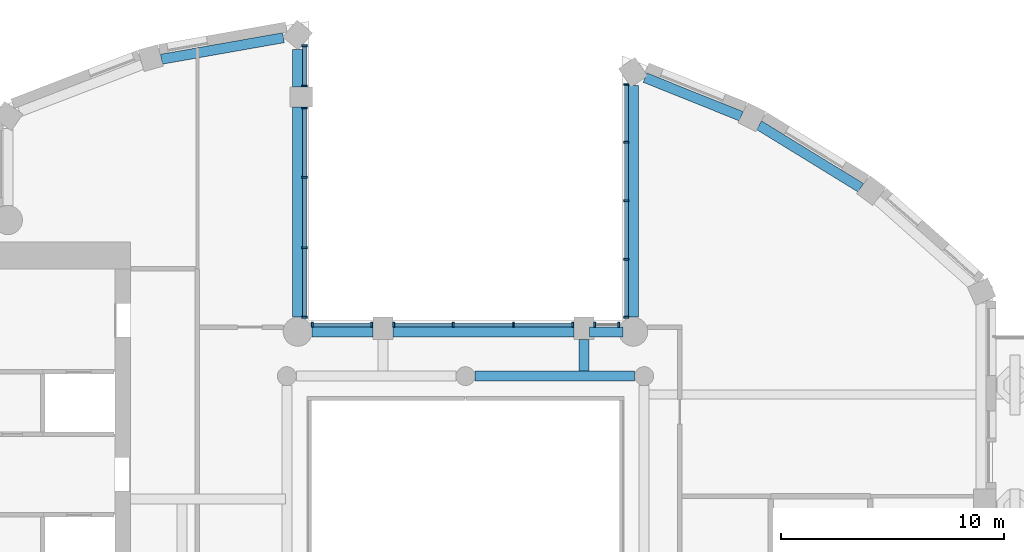
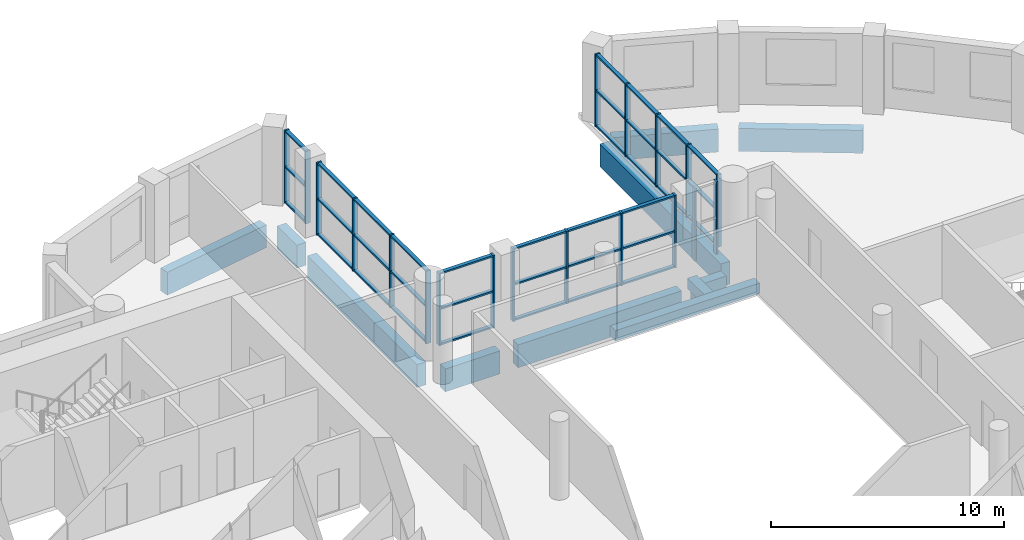
# One storey, part 2 of 14: 55 members, 11 beams, 6 elements without a shape of their own.
"""IFC4 building model written with IfcOpenShell, lengths in metres."""

from ifc_helpers import new_model, si_unit, direction, frame, origin, origin_2d, place, context, subcontext, project, spatial, rectangle, extrude, material, material_profile, profile_set, type_object, element, aggregate, save


model = new_model("IFC4")

# Units and contexts
model_context = context("Model", 3, precision=1e-05, world=origin(), true_north=direction((0.0, 1.0)))
body_context = subcontext(model_context, "Body", "Model", "MODEL_VIEW")
ifc_project = project(units=[si_unit("LENGTHUNIT", "METRE"), si_unit("AREAUNIT", "SQUARE_METRE"), si_unit("VOLUMEUNIT", "CUBIC_METRE"), si_unit("PLANEANGLEUNIT", "RADIAN"), si_unit("MASSUNIT", "GRAM", prefix="KILO")], contexts=[model_context])

# Site, building, storey
site_placement = place(None, origin())
site = spatial("IfcSite", under=ifc_project, at=site_placement, CompositionType="ELEMENT")
building_placement = place(site_placement, origin())
building = spatial("IfcBuilding", under=site, at=building_placement, Name="Cypress Arch Tower", CompositionType="ELEMENT")
storey_placement = place(building_placement, frame((0.0, 0.0, 247.5)))
storey = spatial("IfcBuildingStorey", under=building, at=storey_placement, Name="L55", CompositionType="ELEMENT", Elevation=247.5)

# Beams
ifc_material_1 = material(Name="Concrete C50/60", Category="concrete")
ifc_material_profile_1 = material_profile(ifc_material_1, rectangle(XDim=0.449951171875, YDim=0.550048828125, at=origin_2d()), Name="RC 450x550")
ifc_profile_set_1 = profile_set([ifc_material_profile_1], Name="Concrete C50/60")
beam_type_1 = type_object("IfcBeamType", Name="Floor beam RC 450x550 Concrete C50/60", PredefinedType="BEAM", material=ifc_profile_set_1)
beam_1_placement = place(storey_placement, frame((1.425048828125, 10.0, -0.574951171875), z_axis=(1.0, 0.0, 0.0), x_axis=(0.0, 1.0, 0.0)))
element("IfcBeam", 1, at=beam_1_placement, inside=storey, type_object=beam_type_1, Name="Floor beam L55 RB008", PredefinedType="BEAM", context=body_context, shape_type="SweptSolid", body=[
    extrude(rectangle(XDim=0.449951171875, YDim=0.550048828125, at=origin_2d()), origin(), (0.0, 0.0, 1.0), 7.14990234375),
])
beam_2_placement = place(storey_placement, frame((6.300048828125, 10.22509765625, -0.574951171875), z_axis=(0.0, 1.0, 0.0), x_axis=(-1.0, 0.0, 0.0)))
element("IfcBeam", 2, at=beam_2_placement, inside=storey, type_object=beam_type_1, Name="Floor beam L55 FB013", PredefinedType="BEAM", context=body_context, shape_type="SweptSolid", body=[
    extrude(rectangle(XDim=0.449951171875, YDim=0.550048828125, at=origin_2d()), origin(), (0.0, 0.0, 1.0), 1.4248046875),
])

# Curtain wall, members
ifc_material_2 = material(Name="Anodised aluminium, bronze finish, clear laminated double glazing", Category="aluminium")
curtain_wall_type = type_object("IfcCurtainWallType", Name="Curtain wall CW7 slot glazing", PredefinedType="NOTDEFINED", material=ifc_material_2)
curtain_wall_1_placement = place(storey_placement, origin())
curtain_wall_1 = element("IfcCurtainWall", 3, at=curtain_wall_1_placement, inside=storey, type_object=curtain_wall_type, Name="Curtain wall L55 slot C00.0", PredefinedType="NOTDEFINED")
ifc_material_3 = material(Name="Anodised aluminium, bronze finish", Category="aluminium")
ifc_material_profile_2 = material_profile(ifc_material_3, rectangle(XDim=0.239990234375, YDim=0.0849609375, at=origin_2d()), Name="Mullion 85x240")
ifc_profile_set_2 = profile_set([ifc_material_profile_2], Name="Anodised aluminium, bronze finish")
member_type_1 = type_object("IfcMemberType", Name="Mullion CW7 85x240", PredefinedType="MULLION", material=ifc_profile_set_2)
member_1_placement = place(storey_placement, frame((8.199951171875, 23.060302734375, 0.0), z_axis=(0.0, 0.0, 1.0), x_axis=(1.0, 0.0, 0.0)))
member_1 = element("IfcMember", 4, at=member_1_placement, type_object=member_type_1, Name="CW7 mullion 1", PredefinedType="MULLION", context=body_context, shape_type="SweptSolid", body=[
    extrude(rectangle(XDim=0.239990234375, YDim=0.0849609375, at=origin_2d()), origin(), (0.0, 0.0, 1.0), 3.800048828125),
])
member_2_placement = place(storey_placement, frame((8.199951171875, 20.477294921875, 0.0), z_axis=(0.0, 0.0, 1.0), x_axis=(1.0, 0.0, 0.0)))
member_2 = element("IfcMember", 5, at=member_2_placement, type_object=member_type_1, Name="CW7 mullion 2", PredefinedType="MULLION", context=body_context, shape_type="SweptSolid", body=[
    extrude(rectangle(XDim=0.239990234375, YDim=0.0849609375, at=origin_2d()), origin(), (0.0, 0.0, 1.0), 3.800048828125),
])
member_3_placement = place(storey_placement, frame((8.199951171875, 17.85205078125, 0.0), z_axis=(0.0, 0.0, 1.0), x_axis=(1.0, 0.0, 0.0)))
member_3 = element("IfcMember", 6, at=member_3_placement, type_object=member_type_1, Name="CW7 mullion 3", PredefinedType="MULLION", context=body_context, shape_type="SweptSolid", body=[
    extrude(rectangle(XDim=0.239990234375, YDim=0.0849609375, at=origin_2d()), origin(), (0.0, 0.0, 1.0), 3.800048828125),
])
member_4_placement = place(storey_placement, frame((8.199951171875, 15.226806640625, 0.0), z_axis=(0.0, 0.0, 1.0), x_axis=(1.0, 0.0, 0.0)))
member_4 = element("IfcMember", 7, at=member_4_placement, type_object=member_type_1, Name="CW7 mullion 4", PredefinedType="MULLION", context=body_context, shape_type="SweptSolid", body=[
    extrude(rectangle(XDim=0.239990234375, YDim=0.0849609375, at=origin_2d()), origin(), (0.0, 0.0, 1.0), 3.800048828125),
])
member_5_placement = place(storey_placement, frame((8.199951171875, 12.64404296875, 0.0), z_axis=(0.0, 0.0, 1.0), x_axis=(1.0, 0.0, 0.0)))
member_5 = element("IfcMember", 8, at=member_5_placement, type_object=member_type_1, Name="CW7 mullion 5", PredefinedType="MULLION", context=body_context, shape_type="SweptSolid", body=[
    extrude(rectangle(XDim=0.239990234375, YDim=0.0849609375, at=origin_2d()), origin(), (0.0, 0.0, 1.0), 3.800048828125),
])

curtain_wall_2_placement = place(storey_placement, origin())
curtain_wall_2 = element("IfcCurtainWall", 9, at=curtain_wall_2_placement, inside=storey, type_object=curtain_wall_type, Name="Curtain wall L55 slot C01.0", PredefinedType="NOTDEFINED")
member_6_placement = place(storey_placement, frame((7.85595703125, 12.300048828125, 0.0), z_axis=(0.0, 0.0, 1.0), x_axis=(0.0, -1.0, 0.0)))
member_6 = element("IfcMember", 10, at=member_6_placement, type_object=member_type_1, Name="CW7 mullion 1", PredefinedType="MULLION", context=body_context, shape_type="SweptSolid", body=[
    extrude(rectangle(XDim=0.239990234375, YDim=0.0849609375, at=origin_2d()), origin(), (0.0, 0.0, 1.0), 3.800048828125),
])
member_7_placement = place(storey_placement, frame((6.79248046875, 12.300048828125, 0.0), z_axis=(0.0, 0.0, 1.0), x_axis=(0.0, -1.0, 0.0)))
member_7 = element("IfcMember", 11, at=member_7_placement, type_object=member_type_1, Name="CW7 mullion 2", PredefinedType="MULLION", context=body_context, shape_type="SweptSolid", body=[
    extrude(rectangle(XDim=0.239990234375, YDim=0.0849609375, at=origin_2d()), origin(), (0.0, 0.0, 1.0), 3.800048828125),
])
aggregate(curtain_wall_2, [member_6, member_7])

curtain_wall_3_placement = place(storey_placement, origin())
curtain_wall_3 = element("IfcCurtainWall", 12, at=curtain_wall_3_placement, inside=storey, type_object=curtain_wall_type, Name="Curtain wall L55 slot C01.1", PredefinedType="NOTDEFINED")
member_8_placement = place(storey_placement, frame((5.8076171875, 12.300048828125, 0.0), z_axis=(0.0, 0.0, 1.0), x_axis=(0.0, -1.0, 0.0)))
member_8 = element("IfcMember", 13, at=member_8_placement, type_object=member_type_1, Name="CW7 mullion 1", PredefinedType="MULLION", context=body_context, shape_type="SweptSolid", body=[
    extrude(rectangle(XDim=0.239990234375, YDim=0.0849609375, at=origin_2d()), origin(), (0.0, 0.0, 1.0), 3.800048828125),
])
member_9_placement = place(storey_placement, frame((3.14990234375, 12.300048828125, 0.0), z_axis=(0.0, 0.0, 1.0), x_axis=(0.0, -1.0, 0.0)))
member_9 = element("IfcMember", 14, at=member_9_placement, type_object=member_type_1, Name="CW7 mullion 2", PredefinedType="MULLION", context=body_context, shape_type="SweptSolid", body=[
    extrude(rectangle(XDim=0.239990234375, YDim=0.0849609375, at=origin_2d()), origin(), (0.0, 0.0, 1.0), 3.800048828125),
])
member_10_placement = place(storey_placement, frame((0.449951171875, 12.300048828125, 0.0), z_axis=(0.0, 0.0, 1.0), x_axis=(0.0, -1.0, 0.0)))
member_10 = element("IfcMember", 15, at=member_10_placement, type_object=member_type_1, Name="CW7 mullion 3", PredefinedType="MULLION", context=body_context, shape_type="SweptSolid", body=[
    extrude(rectangle(XDim=0.239990234375, YDim=0.0849609375, at=origin_2d()), origin(), (0.0, 0.0, 1.0), 3.800048828125),
])
member_11_placement = place(storey_placement, frame((-2.20751953125, 12.300048828125, 0.0), z_axis=(0.0, 0.0, 1.0), x_axis=(0.0, -1.0, 0.0)))
member_11 = element("IfcMember", 16, at=member_11_placement, type_object=member_type_1, Name="CW7 mullion 4", PredefinedType="MULLION", context=body_context, shape_type="SweptSolid", body=[
    extrude(rectangle(XDim=0.239990234375, YDim=0.0849609375, at=origin_2d()), origin(), (0.0, 0.0, 1.0), 3.800048828125),
])

curtain_wall_4_placement = place(storey_placement, origin())
curtain_wall_4 = element("IfcCurtainWall", 17, at=curtain_wall_4_placement, inside=storey, type_object=curtain_wall_type, Name="Curtain wall L55 slot C01.2", PredefinedType="NOTDEFINED")
member_12_placement = place(storey_placement, frame((-3.1923828125, 12.300048828125, 0.0), z_axis=(0.0, 0.0, 1.0), x_axis=(0.0, -1.0, 0.0)))
member_12 = element("IfcMember", 18, at=member_12_placement, type_object=member_type_1, Name="CW7 mullion 1", PredefinedType="MULLION", context=body_context, shape_type="SweptSolid", body=[
    extrude(rectangle(XDim=0.239990234375, YDim=0.0849609375, at=origin_2d()), origin(), (0.0, 0.0, 1.0), 3.800048828125),
])
member_13_placement = place(storey_placement, frame((-5.85595703125, 12.300048828125, 0.0), z_axis=(0.0, 0.0, 1.0), x_axis=(0.0, -1.0, 0.0)))
member_13 = element("IfcMember", 19, at=member_13_placement, type_object=member_type_1, Name="CW7 mullion 2", PredefinedType="MULLION", context=body_context, shape_type="SweptSolid", body=[
    extrude(rectangle(XDim=0.239990234375, YDim=0.0849609375, at=origin_2d()), origin(), (0.0, 0.0, 1.0), 3.800048828125),
])

curtain_wall_5_placement = place(storey_placement, origin())
curtain_wall_5 = element("IfcCurtainWall", 20, at=curtain_wall_5_placement, inside=storey, type_object=curtain_wall_type, Name="Curtain wall L55 slot C02.0", PredefinedType="NOTDEFINED")
member_14_placement = place(storey_placement, frame((-6.199951171875, 12.64404296875, 0.0), z_axis=(0.0, 0.0, 1.0), x_axis=(-1.0, 0.0, 0.0)))
member_14 = element("IfcMember", 21, at=member_14_placement, type_object=member_type_1, Name="CW7 mullion 1", PredefinedType="MULLION", context=body_context, shape_type="SweptSolid", body=[
    extrude(rectangle(XDim=0.239990234375, YDim=0.0849609375, at=origin_2d()), origin(), (0.0, 0.0, 1.0), 3.800048828125),
])
member_15_placement = place(storey_placement, frame((-6.199951171875, 15.7509765625, 0.0), z_axis=(0.0, 0.0, 1.0), x_axis=(-1.0, 0.0, 0.0)))
member_15 = element("IfcMember", 22, at=member_15_placement, type_object=member_type_1, Name="CW7 mullion 2", PredefinedType="MULLION", context=body_context, shape_type="SweptSolid", body=[
    extrude(rectangle(XDim=0.239990234375, YDim=0.0849609375, at=origin_2d()), origin(), (0.0, 0.0, 1.0), 3.800048828125),
])
member_16_placement = place(storey_placement, frame((-6.199951171875, 18.900390625, 0.0), z_axis=(0.0, 0.0, 1.0), x_axis=(-1.0, 0.0, 0.0)))
member_16 = element("IfcMember", 23, at=member_16_placement, type_object=member_type_1, Name="CW7 mullion 3", PredefinedType="MULLION", context=body_context, shape_type="SweptSolid", body=[
    extrude(rectangle(XDim=0.239990234375, YDim=0.0849609375, at=origin_2d()), origin(), (0.0, 0.0, 1.0), 3.800048828125),
])
member_17_placement = place(storey_placement, frame((-6.199951171875, 22.007568359375, 0.0), z_axis=(0.0, 0.0, 1.0), x_axis=(-1.0, 0.0, 0.0)))
member_17 = element("IfcMember", 24, at=member_17_placement, type_object=member_type_1, Name="CW7 mullion 4", PredefinedType="MULLION", context=body_context, shape_type="SweptSolid", body=[
    extrude(rectangle(XDim=0.239990234375, YDim=0.0849609375, at=origin_2d()), origin(), (0.0, 0.0, 1.0), 3.800048828125),
])

curtain_wall_6_placement = place(storey_placement, origin())
curtain_wall_6 = element("IfcCurtainWall", 25, at=curtain_wall_6_placement, inside=storey, type_object=curtain_wall_type, Name="Curtain wall L55 slot C02.1", PredefinedType="NOTDEFINED")
member_18_placement = place(storey_placement, frame((-6.199951171875, 22.992431640625, 0.0), z_axis=(0.0, 0.0, 1.0), x_axis=(-1.0, 0.0, 0.0)))
member_18 = element("IfcMember", 26, at=member_18_placement, type_object=member_type_1, Name="CW7 mullion 1", PredefinedType="MULLION", context=body_context, shape_type="SweptSolid", body=[
    extrude(rectangle(XDim=0.239990234375, YDim=0.0849609375, at=origin_2d()), origin(), (0.0, 0.0, 1.0), 3.800048828125),
])
member_19_placement = place(storey_placement, frame((-6.199951171875, 24.789794921875, 0.0), z_axis=(0.0, 0.0, 1.0), x_axis=(-1.0, 0.0, 0.0)))
member_19 = element("IfcMember", 27, at=member_19_placement, type_object=member_type_1, Name="CW7 mullion 2", PredefinedType="MULLION", context=body_context, shape_type="SweptSolid", body=[
    extrude(rectangle(XDim=0.239990234375, YDim=0.0849609375, at=origin_2d()), origin(), (0.0, 0.0, 1.0), 3.800048828125),
])

# Beams
ifc_material_4 = material(Name="Concrete C50/60", Category="concrete")
ifc_material_profile_3 = material_profile(ifc_material_4, rectangle(XDim=0.449951171875, YDim=1.199951171875, at=origin_2d()), Name="RC 450x1200")
ifc_profile_set_3 = profile_set([ifc_material_profile_3], Name="Concrete C50/60")
beam_type_2 = type_object("IfcBeamType", Name="Spandrel beam RC 450x1200 Concrete C50/60", PredefinedType="SPANDREL", material=ifc_profile_set_3)
beam_3_placement = place(storey_placement, frame((8.52490234375, 23.017578125, -1.550048828125), z_axis=(0.0, -1.0, 0.0), x_axis=(1.0, 0.0, 0.0)))
element("IfcBeam", 28, at=beam_3_placement, inside=storey, type_object=beam_type_2, Name="Spandrel beam L55 BC00-0", PredefinedType="SPANDREL", context=body_context, shape_type="SweptSolid", body=[
    extrude(rectangle(XDim=0.449951171875, YDim=1.199951171875, at=origin_2d()), origin(), (0.0, 0.0, 1.0), 10.380126953125),
])
beam_4_placement = place(storey_placement, frame((8.05615234375, 11.97509765625, -1.550048828125), z_axis=(-1.0, 0.0, 0.0), x_axis=(0.0, -1.0, 0.0)))
element("IfcBeam", 29, at=beam_4_placement, inside=storey, type_object=beam_type_2, Name="Spandrel beam L55 BC01-0", PredefinedType="SPANDREL", context=body_context, shape_type="SweptSolid", body=[
    extrude(rectangle(XDim=0.449951171875, YDim=1.199951171875, at=origin_2d()), origin(), (0.0, 0.0, 1.0), 1.5),
])
beam_5_placement = place(storey_placement, frame((5.85009765625, 11.97509765625, -1.550048828125), z_axis=(-1.0, 0.0, 0.0), x_axis=(0.0, -1.0, 0.0)))
element("IfcBeam", 30, at=beam_5_placement, inside=storey, type_object=beam_type_2, Name="Spandrel beam L55 BC01-1", PredefinedType="SPANDREL", context=body_context, shape_type="SweptSolid", body=[
    extrude(rectangle(XDim=0.449951171875, YDim=1.199951171875, at=origin_2d()), origin(), (0.0, 0.0, 1.0), 8.10009765625),
])
beam_6_placement = place(storey_placement, frame((-3.14990234375, 11.97509765625, -1.550048828125), z_axis=(-1.0, 0.0, 0.0), x_axis=(0.0, -1.0, 0.0)))
element("IfcBeam", 31, at=beam_6_placement, inside=storey, type_object=beam_type_2, Name="Spandrel beam L55 BC01-2", PredefinedType="SPANDREL", context=body_context, shape_type="SweptSolid", body=[
    extrude(rectangle(XDim=0.449951171875, YDim=1.199951171875, at=origin_2d()), origin(), (0.0, 0.0, 1.0), 2.712646484375),
])
beam_7_placement = place(storey_placement, frame((-6.52490234375, 12.637451171875, -1.550048828125), z_axis=(0.0, 1.0, 0.0), x_axis=(-1.0, 0.0, 0.0)))
element("IfcBeam", 32, at=beam_7_placement, inside=storey, type_object=beam_type_2, Name="Spandrel beam L55 BC02-0", PredefinedType="SPANDREL", context=body_context, shape_type="SweptSolid", body=[
    extrude(rectangle(XDim=0.449951171875, YDim=1.199951171875, at=origin_2d()), origin(), (0.0, 0.0, 1.0), 9.41259765625),
])
beam_8_placement = place(storey_placement, frame((-6.52490234375, 22.949951171875, -1.550048828125), z_axis=(0.0, 1.0, 0.0), x_axis=(-1.0, 0.0, 0.0)))
element("IfcBeam", 33, at=beam_8_placement, inside=storey, type_object=beam_type_2, Name="Spandrel beam L55 BC02-1", PredefinedType="SPANDREL", context=body_context, shape_type="SweptSolid", body=[
    extrude(rectangle(XDim=0.449951171875, YDim=1.199951171875, at=origin_2d()), origin(), (0.0, 0.0, 1.0), 1.6796875),
])
beam_9_placement = place(storey_placement, frame((-7.14990234375, 25.154052734375, -1.550048828125), z_axis=(-0.984800388539, -0.173689938494, 0.0), x_axis=(0.173689938494, -0.984800388539, 0.0)))
element("IfcBeam", 34, at=beam_9_placement, inside=storey, type_object=beam_type_2, Name="Spandrel beam L55 BC03-0", PredefinedType="SPANDREL", context=body_context, shape_type="SweptSolid", body=[
    extrude(rectangle(XDim=0.449951171875, YDim=1.199951171875, at=origin_2d()), origin(), (0.0, 0.0, 1.0), 5.5478515625),
])
beam_10_placement = place(storey_placement, frame((18.700927734375, 18.43359375, -1.550048828125), z_axis=(-0.851880940975, 0.523735488966, 0.0), x_axis=(-0.523735488966, -0.851880940975, 0.0)))
element("IfcBeam", 35, at=beam_10_placement, inside=storey, type_object=beam_type_2, Name="Spandrel beam L55 BC19-0", PredefinedType="SPANDREL", context=body_context, shape_type="SweptSolid", body=[
    extrude(rectangle(XDim=0.449951171875, YDim=1.199951171875, at=origin_2d()), origin(), (0.0, 0.0, 1.0), 5.344970703125),
])
beam_11_placement = place(storey_placement, frame((13.343994140625, 21.6376953125, -1.550048828125), z_axis=(-0.92793836678, 0.372733668263, 0.0), x_axis=(-0.372733668263, -0.92793836678, 0.0)))
element("IfcBeam", 36, at=beam_11_placement, inside=storey, type_object=beam_type_2, Name="Spandrel beam L55 BC20-0", PredefinedType="SPANDREL", context=body_context, shape_type="SweptSolid", body=[
    extrude(rectangle(XDim=0.449951171875, YDim=1.199951171875, at=origin_2d()), origin(), (0.0, 0.0, 1.0), 4.637451171875),
])

# Member
ifc_material_5 = material(Name="Anodised aluminium, bronze finish", Category="aluminium")
ifc_material_profile_4 = material_profile(ifc_material_5, rectangle(XDim=0.179931640625, YDim=0.0849609375, at=origin_2d()), Name="Transom 85x180")
ifc_profile_set_4 = profile_set([ifc_material_profile_4], Name="Anodised aluminium, bronze finish")
member_type_2 = type_object("IfcMemberType", Name="Transom CW7 85x180", PredefinedType="USERDEFINED", material=ifc_profile_set_4)
member_20_placement = place(storey_placement, frame((8.199951171875, 23.017578125, 0.04248046875), z_axis=(0.0, -1.0, 0.0), x_axis=(1.0, 0.0, 0.0)))
member_20 = element("IfcMember", 37, at=member_20_placement, type_object=member_type_2, Name="CW7 transom 1.1", ObjectType="TRANSOM", PredefinedType="USERDEFINED", context=body_context, shape_type="SweptSolid", body=[
    extrude(rectangle(XDim=0.179931640625, YDim=0.0849609375, at=origin_2d()), origin(), (0.0, 0.0, 1.0), 2.497802734375),
])

member_21_placement = place(storey_placement, frame((8.199951171875, 23.017578125, 1.89990234375), z_axis=(0.0, -1.0, 0.0), x_axis=(1.0, 0.0, 0.0)))
member_21 = element("IfcMember", 38, at=member_21_placement, type_object=member_type_2, Name="CW7 transom 1.2", ObjectType="TRANSOM", PredefinedType="USERDEFINED", context=body_context, shape_type="SweptSolid", body=[
    extrude(rectangle(XDim=0.179931640625, YDim=0.0849609375, at=origin_2d()), origin(), (0.0, 0.0, 1.0), 2.497802734375),
])

member_22_placement = place(storey_placement, frame((8.199951171875, 23.017578125, 3.757568359375), z_axis=(0.0, -1.0, 0.0), x_axis=(1.0, 0.0, 0.0)))
member_22 = element("IfcMember", 39, at=member_22_placement, type_object=member_type_2, Name="CW7 transom 1.3", ObjectType="TRANSOM", PredefinedType="USERDEFINED", context=body_context, shape_type="SweptSolid", body=[
    extrude(rectangle(XDim=0.179931640625, YDim=0.0849609375, at=origin_2d()), origin(), (0.0, 0.0, 1.0), 2.497802734375),
])

member_23_placement = place(storey_placement, frame((8.199951171875, 20.434814453125, 0.04248046875), z_axis=(0.0, -1.0, 0.0), x_axis=(1.0, 0.0, 0.0)))
member_23 = element("IfcMember", 40, at=member_23_placement, type_object=member_type_2, Name="CW7 transom 2.1", ObjectType="TRANSOM", PredefinedType="USERDEFINED", context=body_context, shape_type="SweptSolid", body=[
    extrude(rectangle(XDim=0.179931640625, YDim=0.0849609375, at=origin_2d()), origin(), (0.0, 0.0, 1.0), 2.540283203125),
])

member_24_placement = place(storey_placement, frame((8.199951171875, 20.434814453125, 1.89990234375), z_axis=(0.0, -1.0, 0.0), x_axis=(1.0, 0.0, 0.0)))
member_24 = element("IfcMember", 41, at=member_24_placement, type_object=member_type_2, Name="CW7 transom 2.2", ObjectType="TRANSOM", PredefinedType="USERDEFINED", context=body_context, shape_type="SweptSolid", body=[
    extrude(rectangle(XDim=0.179931640625, YDim=0.0849609375, at=origin_2d()), origin(), (0.0, 0.0, 1.0), 2.540283203125),
])

member_25_placement = place(storey_placement, frame((8.199951171875, 20.434814453125, 3.757568359375), z_axis=(0.0, -1.0, 0.0), x_axis=(1.0, 0.0, 0.0)))
member_25 = element("IfcMember", 42, at=member_25_placement, type_object=member_type_2, Name="CW7 transom 2.3", ObjectType="TRANSOM", PredefinedType="USERDEFINED", context=body_context, shape_type="SweptSolid", body=[
    extrude(rectangle(XDim=0.179931640625, YDim=0.0849609375, at=origin_2d()), origin(), (0.0, 0.0, 1.0), 2.540283203125),
])

member_26_placement = place(storey_placement, frame((8.199951171875, 17.8095703125, 0.04248046875), z_axis=(0.0, -1.0, 0.0), x_axis=(1.0, 0.0, 0.0)))
member_26 = element("IfcMember", 43, at=member_26_placement, type_object=member_type_2, Name="CW7 transom 3.1", ObjectType="TRANSOM", PredefinedType="USERDEFINED", context=body_context, shape_type="SweptSolid", body=[
    extrude(rectangle(XDim=0.179931640625, YDim=0.0849609375, at=origin_2d()), origin(), (0.0, 0.0, 1.0), 2.540283203125),
])

member_27_placement = place(storey_placement, frame((8.199951171875, 17.8095703125, 1.89990234375), z_axis=(0.0, -1.0, 0.0), x_axis=(1.0, 0.0, 0.0)))
member_27 = element("IfcMember", 44, at=member_27_placement, type_object=member_type_2, Name="CW7 transom 3.2", ObjectType="TRANSOM", PredefinedType="USERDEFINED", context=body_context, shape_type="SweptSolid", body=[
    extrude(rectangle(XDim=0.179931640625, YDim=0.0849609375, at=origin_2d()), origin(), (0.0, 0.0, 1.0), 2.540283203125),
])

member_28_placement = place(storey_placement, frame((8.199951171875, 17.8095703125, 3.757568359375), z_axis=(0.0, -1.0, 0.0), x_axis=(1.0, 0.0, 0.0)))
member_28 = element("IfcMember", 45, at=member_28_placement, type_object=member_type_2, Name="CW7 transom 3.3", ObjectType="TRANSOM", PredefinedType="USERDEFINED", context=body_context, shape_type="SweptSolid", body=[
    extrude(rectangle(XDim=0.179931640625, YDim=0.0849609375, at=origin_2d()), origin(), (0.0, 0.0, 1.0), 2.540283203125),
])

member_29_placement = place(storey_placement, frame((8.199951171875, 15.184326171875, 0.04248046875), z_axis=(0.0, -1.0, 0.0), x_axis=(1.0, 0.0, 0.0)))
member_29 = element("IfcMember", 46, at=member_29_placement, type_object=member_type_2, Name="CW7 transom 4.1", ObjectType="TRANSOM", PredefinedType="USERDEFINED", context=body_context, shape_type="SweptSolid", body=[
    extrude(rectangle(XDim=0.179931640625, YDim=0.0849609375, at=origin_2d()), origin(), (0.0, 0.0, 1.0), 2.497802734375),
])

member_30_placement = place(storey_placement, frame((8.199951171875, 15.184326171875, 1.89990234375), z_axis=(0.0, -1.0, 0.0), x_axis=(1.0, 0.0, 0.0)))
member_30 = element("IfcMember", 47, at=member_30_placement, type_object=member_type_2, Name="CW7 transom 4.2", ObjectType="TRANSOM", PredefinedType="USERDEFINED", context=body_context, shape_type="SweptSolid", body=[
    extrude(rectangle(XDim=0.179931640625, YDim=0.0849609375, at=origin_2d()), origin(), (0.0, 0.0, 1.0), 2.497802734375),
])

member_31_placement = place(storey_placement, frame((8.199951171875, 15.184326171875, 3.757568359375), z_axis=(0.0, -1.0, 0.0), x_axis=(1.0, 0.0, 0.0)))
member_31 = element("IfcMember", 48, at=member_31_placement, type_object=member_type_2, Name="CW7 transom 4.3", ObjectType="TRANSOM", PredefinedType="USERDEFINED", context=body_context, shape_type="SweptSolid", body=[
    extrude(rectangle(XDim=0.179931640625, YDim=0.0849609375, at=origin_2d()), origin(), (0.0, 0.0, 1.0), 2.497802734375),
])

aggregate(curtain_wall_1, [member_1, member_2, member_3, member_4, member_5, member_20, member_21, member_22, member_23, member_24, member_25, member_26, member_27, member_28, member_29, member_30, member_31])

member_32_placement = place(storey_placement, frame((5.764892578125, 12.300048828125, 0.04248046875), z_axis=(-1.0, 0.0, 0.0), x_axis=(0.0, -1.0, 0.0)))
member_32 = element("IfcMember", 49, at=member_32_placement, type_object=member_type_2, Name="CW7 transom 1.1", ObjectType="TRANSOM", PredefinedType="USERDEFINED", context=body_context, shape_type="SweptSolid", body=[
    extrude(rectangle(XDim=0.179931640625, YDim=0.0849609375, at=origin_2d()), origin(), (0.0, 0.0, 1.0), 2.572509765625),
])

member_33_placement = place(storey_placement, frame((5.764892578125, 12.300048828125, 1.89990234375), z_axis=(-1.0, 0.0, 0.0), x_axis=(0.0, -1.0, 0.0)))
member_33 = element("IfcMember", 50, at=member_33_placement, type_object=member_type_2, Name="CW7 transom 1.2", ObjectType="TRANSOM", PredefinedType="USERDEFINED", context=body_context, shape_type="SweptSolid", body=[
    extrude(rectangle(XDim=0.179931640625, YDim=0.0849609375, at=origin_2d()), origin(), (0.0, 0.0, 1.0), 2.572509765625),
])

member_34_placement = place(storey_placement, frame((5.764892578125, 12.300048828125, 3.757568359375), z_axis=(-1.0, 0.0, 0.0), x_axis=(0.0, -1.0, 0.0)))
member_34 = element("IfcMember", 51, at=member_34_placement, type_object=member_type_2, Name="CW7 transom 1.3", ObjectType="TRANSOM", PredefinedType="USERDEFINED", context=body_context, shape_type="SweptSolid", body=[
    extrude(rectangle(XDim=0.179931640625, YDim=0.0849609375, at=origin_2d()), origin(), (0.0, 0.0, 1.0), 2.572509765625),
])

member_35_placement = place(storey_placement, frame((3.107421875, 12.300048828125, 0.04248046875), z_axis=(-1.0, 0.0, 0.0), x_axis=(0.0, -1.0, 0.0)))
member_35 = element("IfcMember", 52, at=member_35_placement, type_object=member_type_2, Name="CW7 transom 2.1", ObjectType="TRANSOM", PredefinedType="USERDEFINED", context=body_context, shape_type="SweptSolid", body=[
    extrude(rectangle(XDim=0.179931640625, YDim=0.0849609375, at=origin_2d()), origin(), (0.0, 0.0, 1.0), 2.614990234375),
])

member_36_placement = place(storey_placement, frame((3.107421875, 12.300048828125, 1.89990234375), z_axis=(-1.0, 0.0, 0.0), x_axis=(0.0, -1.0, 0.0)))
member_36 = element("IfcMember", 53, at=member_36_placement, type_object=member_type_2, Name="CW7 transom 2.2", ObjectType="TRANSOM", PredefinedType="USERDEFINED", context=body_context, shape_type="SweptSolid", body=[
    extrude(rectangle(XDim=0.179931640625, YDim=0.0849609375, at=origin_2d()), origin(), (0.0, 0.0, 1.0), 2.614990234375),
])

member_37_placement = place(storey_placement, frame((3.107421875, 12.300048828125, 3.757568359375), z_axis=(-1.0, 0.0, 0.0), x_axis=(0.0, -1.0, 0.0)))
member_37 = element("IfcMember", 54, at=member_37_placement, type_object=member_type_2, Name="CW7 transom 2.3", ObjectType="TRANSOM", PredefinedType="USERDEFINED", context=body_context, shape_type="SweptSolid", body=[
    extrude(rectangle(XDim=0.179931640625, YDim=0.0849609375, at=origin_2d()), origin(), (0.0, 0.0, 1.0), 2.614990234375),
])

member_38_placement = place(storey_placement, frame((0.407470703125, 12.300048828125, 0.04248046875), z_axis=(-1.0, 0.0, 0.0), x_axis=(0.0, -1.0, 0.0)))
member_38 = element("IfcMember", 55, at=member_38_placement, type_object=member_type_2, Name="CW7 transom 3.1", ObjectType="TRANSOM", PredefinedType="USERDEFINED", context=body_context, shape_type="SweptSolid", body=[
    extrude(rectangle(XDim=0.179931640625, YDim=0.0849609375, at=origin_2d()), origin(), (0.0, 0.0, 1.0), 2.572509765625),
])

member_39_placement = place(storey_placement, frame((0.407470703125, 12.300048828125, 1.89990234375), z_axis=(-1.0, 0.0, 0.0), x_axis=(0.0, -1.0, 0.0)))
member_39 = element("IfcMember", 56, at=member_39_placement, type_object=member_type_2, Name="CW7 transom 3.2", ObjectType="TRANSOM", PredefinedType="USERDEFINED", context=body_context, shape_type="SweptSolid", body=[
    extrude(rectangle(XDim=0.179931640625, YDim=0.0849609375, at=origin_2d()), origin(), (0.0, 0.0, 1.0), 2.572509765625),
])

member_40_placement = place(storey_placement, frame((0.407470703125, 12.300048828125, 3.757568359375), z_axis=(-1.0, 0.0, 0.0), x_axis=(0.0, -1.0, 0.0)))
member_40 = element("IfcMember", 57, at=member_40_placement, type_object=member_type_2, Name="CW7 transom 3.3", ObjectType="TRANSOM", PredefinedType="USERDEFINED", context=body_context, shape_type="SweptSolid", body=[
    extrude(rectangle(XDim=0.179931640625, YDim=0.0849609375, at=origin_2d()), origin(), (0.0, 0.0, 1.0), 2.572509765625),
])

aggregate(curtain_wall_3, [member_8, member_9, member_10, member_11, member_32, member_33, member_34, member_35, member_36, member_37, member_38, member_39, member_40])

member_41_placement = place(storey_placement, frame((-3.235107421875, 12.300048828125, 0.04248046875), z_axis=(-1.0, 0.0, 0.0), x_axis=(0.0, -1.0, 0.0)))
member_41 = element("IfcMember", 58, at=member_41_placement, type_object=member_type_2, Name="CW7 transom 1.1", ObjectType="TRANSOM", PredefinedType="USERDEFINED", context=body_context, shape_type="SweptSolid", body=[
    extrude(rectangle(XDim=0.179931640625, YDim=0.0849609375, at=origin_2d()), origin(), (0.0, 0.0, 1.0), 2.578369140625),
])

member_42_placement = place(storey_placement, frame((-3.235107421875, 12.300048828125, 1.89990234375), z_axis=(-1.0, 0.0, 0.0), x_axis=(0.0, -1.0, 0.0)))
member_42 = element("IfcMember", 59, at=member_42_placement, type_object=member_type_2, Name="CW7 transom 1.2", ObjectType="TRANSOM", PredefinedType="USERDEFINED", context=body_context, shape_type="SweptSolid", body=[
    extrude(rectangle(XDim=0.179931640625, YDim=0.0849609375, at=origin_2d()), origin(), (0.0, 0.0, 1.0), 2.578369140625),
])

member_43_placement = place(storey_placement, frame((-3.235107421875, 12.300048828125, 3.757568359375), z_axis=(-1.0, 0.0, 0.0), x_axis=(0.0, -1.0, 0.0)))
member_43 = element("IfcMember", 60, at=member_43_placement, type_object=member_type_2, Name="CW7 transom 1.3", ObjectType="TRANSOM", PredefinedType="USERDEFINED", context=body_context, shape_type="SweptSolid", body=[
    extrude(rectangle(XDim=0.179931640625, YDim=0.0849609375, at=origin_2d()), origin(), (0.0, 0.0, 1.0), 2.578369140625),
])

aggregate(curtain_wall_4, [member_12, member_13, member_41, member_42, member_43])

member_44_placement = place(storey_placement, frame((-6.199951171875, 12.6865234375, 0.04248046875), z_axis=(0.0, 1.0, 0.0), x_axis=(-1.0, 0.0, 0.0)))
member_44 = element("IfcMember", 61, at=member_44_placement, type_object=member_type_2, Name="CW7 transom 1.1", ObjectType="TRANSOM", PredefinedType="USERDEFINED", context=body_context, shape_type="SweptSolid", body=[
    extrude(rectangle(XDim=0.179931640625, YDim=0.0849609375, at=origin_2d()), origin(), (0.0, 0.0, 1.0), 3.02197265625),
])

member_45_placement = place(storey_placement, frame((-6.199951171875, 12.6865234375, 1.89990234375), z_axis=(0.0, 1.0, 0.0), x_axis=(-1.0, 0.0, 0.0)))
member_45 = element("IfcMember", 62, at=member_45_placement, type_object=member_type_2, Name="CW7 transom 1.2", ObjectType="TRANSOM", PredefinedType="USERDEFINED", context=body_context, shape_type="SweptSolid", body=[
    extrude(rectangle(XDim=0.179931640625, YDim=0.0849609375, at=origin_2d()), origin(), (0.0, 0.0, 1.0), 3.02197265625),
])

member_46_placement = place(storey_placement, frame((-6.199951171875, 12.6865234375, 3.757568359375), z_axis=(0.0, 1.0, 0.0), x_axis=(-1.0, 0.0, 0.0)))
member_46 = element("IfcMember", 63, at=member_46_placement, type_object=member_type_2, Name="CW7 transom 1.3", ObjectType="TRANSOM", PredefinedType="USERDEFINED", context=body_context, shape_type="SweptSolid", body=[
    extrude(rectangle(XDim=0.179931640625, YDim=0.0849609375, at=origin_2d()), origin(), (0.0, 0.0, 1.0), 3.02197265625),
])

member_47_placement = place(storey_placement, frame((-6.199951171875, 15.79345703125, 0.04248046875), z_axis=(0.0, 1.0, 0.0), x_axis=(-1.0, 0.0, 0.0)))
member_47 = element("IfcMember", 64, at=member_47_placement, type_object=member_type_2, Name="CW7 transom 2.1", ObjectType="TRANSOM", PredefinedType="USERDEFINED", context=body_context, shape_type="SweptSolid", body=[
    extrude(rectangle(XDim=0.179931640625, YDim=0.0849609375, at=origin_2d()), origin(), (0.0, 0.0, 1.0), 3.064453125),
])

member_48_placement = place(storey_placement, frame((-6.199951171875, 15.79345703125, 1.89990234375), z_axis=(0.0, 1.0, 0.0), x_axis=(-1.0, 0.0, 0.0)))
member_48 = element("IfcMember", 65, at=member_48_placement, type_object=member_type_2, Name="CW7 transom 2.2", ObjectType="TRANSOM", PredefinedType="USERDEFINED", context=body_context, shape_type="SweptSolid", body=[
    extrude(rectangle(XDim=0.179931640625, YDim=0.0849609375, at=origin_2d()), origin(), (0.0, 0.0, 1.0), 3.064453125),
])

member_49_placement = place(storey_placement, frame((-6.199951171875, 15.79345703125, 3.757568359375), z_axis=(0.0, 1.0, 0.0), x_axis=(-1.0, 0.0, 0.0)))
member_49 = element("IfcMember", 66, at=member_49_placement, type_object=member_type_2, Name="CW7 transom 2.3", ObjectType="TRANSOM", PredefinedType="USERDEFINED", context=body_context, shape_type="SweptSolid", body=[
    extrude(rectangle(XDim=0.179931640625, YDim=0.0849609375, at=origin_2d()), origin(), (0.0, 0.0, 1.0), 3.064453125),
])

member_50_placement = place(storey_placement, frame((-6.199951171875, 18.943115234375, 0.04248046875), z_axis=(0.0, 1.0, 0.0), x_axis=(-1.0, 0.0, 0.0)))
member_50 = element("IfcMember", 67, at=member_50_placement, type_object=member_type_2, Name="CW7 transom 3.1", ObjectType="TRANSOM", PredefinedType="USERDEFINED", context=body_context, shape_type="SweptSolid", body=[
    extrude(rectangle(XDim=0.179931640625, YDim=0.0849609375, at=origin_2d()), origin(), (0.0, 0.0, 1.0), 3.02197265625),
])

member_51_placement = place(storey_placement, frame((-6.199951171875, 18.943115234375, 1.89990234375), z_axis=(0.0, 1.0, 0.0), x_axis=(-1.0, 0.0, 0.0)))
member_51 = element("IfcMember", 68, at=member_51_placement, type_object=member_type_2, Name="CW7 transom 3.2", ObjectType="TRANSOM", PredefinedType="USERDEFINED", context=body_context, shape_type="SweptSolid", body=[
    extrude(rectangle(XDim=0.179931640625, YDim=0.0849609375, at=origin_2d()), origin(), (0.0, 0.0, 1.0), 3.02197265625),
])

member_52_placement = place(storey_placement, frame((-6.199951171875, 18.943115234375, 3.757568359375), z_axis=(0.0, 1.0, 0.0), x_axis=(-1.0, 0.0, 0.0)))
member_52 = element("IfcMember", 69, at=member_52_placement, type_object=member_type_2, Name="CW7 transom 3.3", ObjectType="TRANSOM", PredefinedType="USERDEFINED", context=body_context, shape_type="SweptSolid", body=[
    extrude(rectangle(XDim=0.179931640625, YDim=0.0849609375, at=origin_2d()), origin(), (0.0, 0.0, 1.0), 3.02197265625),
])

aggregate(curtain_wall_5, [member_14, member_15, member_16, member_17, member_44, member_45, member_46, member_47, member_48, member_49, member_50, member_51, member_52])

member_53_placement = place(storey_placement, frame((-6.199951171875, 23.034912109375, 0.04248046875), z_axis=(0.0, 1.0, 0.0), x_axis=(-1.0, 0.0, 0.0)))
member_53 = element("IfcMember", 70, at=member_53_placement, type_object=member_type_2, Name="CW7 transom 1.1", ObjectType="TRANSOM", PredefinedType="USERDEFINED", context=body_context, shape_type="SweptSolid", body=[
    extrude(rectangle(XDim=0.179931640625, YDim=0.0849609375, at=origin_2d()), origin(), (0.0, 0.0, 1.0), 1.71240234375),
])

member_54_placement = place(storey_placement, frame((-6.199951171875, 23.034912109375, 1.89990234375), z_axis=(0.0, 1.0, 0.0), x_axis=(-1.0, 0.0, 0.0)))
member_54 = element("IfcMember", 71, at=member_54_placement, type_object=member_type_2, Name="CW7 transom 1.2", ObjectType="TRANSOM", PredefinedType="USERDEFINED", context=body_context, shape_type="SweptSolid", body=[
    extrude(rectangle(XDim=0.179931640625, YDim=0.0849609375, at=origin_2d()), origin(), (0.0, 0.0, 1.0), 1.71240234375),
])

member_55_placement = place(storey_placement, frame((-6.199951171875, 23.034912109375, 3.757568359375), z_axis=(0.0, 1.0, 0.0), x_axis=(-1.0, 0.0, 0.0)))
member_55 = element("IfcMember", 72, at=member_55_placement, type_object=member_type_2, Name="CW7 transom 1.3", ObjectType="TRANSOM", PredefinedType="USERDEFINED", context=body_context, shape_type="SweptSolid", body=[
    extrude(rectangle(XDim=0.179931640625, YDim=0.0849609375, at=origin_2d()), origin(), (0.0, 0.0, 1.0), 1.71240234375),
])

aggregate(curtain_wall_6, [member_18, member_19, member_53, member_54, member_55])

save(model, "model.ifc")
